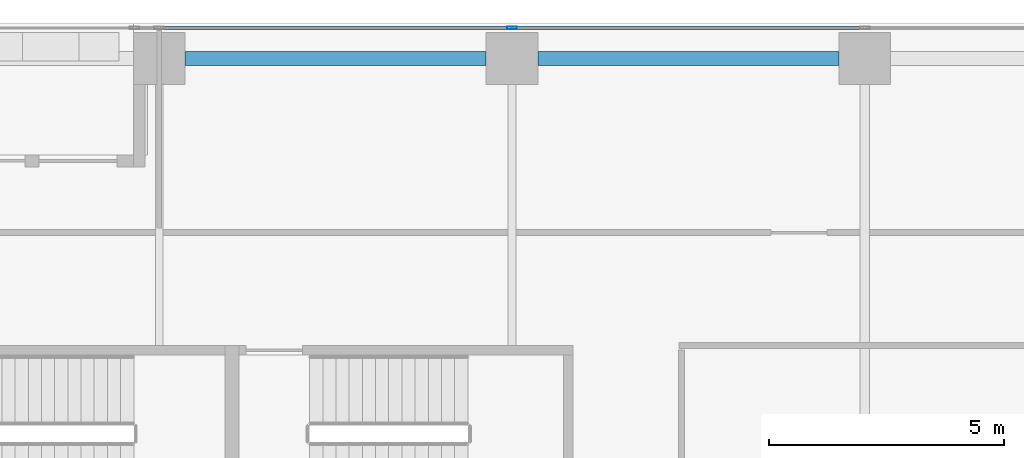
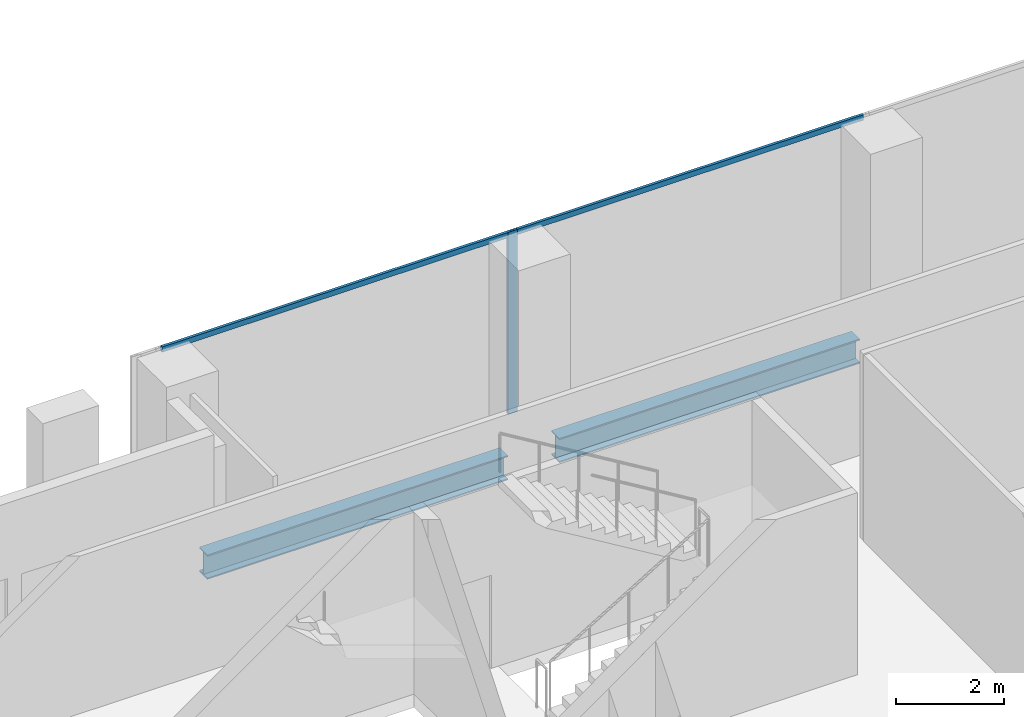
# One storey, part 17 of 34: 3 members, 2 beams, 1 element without a shape of its own.
"""IFC4 building model written with IfcOpenShell, lengths in metres."""

from ifc_helpers import new_model, si_unit, direction, frame, origin, origin_2d, place, context, subcontext, project, spatial, hollow_rectangle, i_section, extrude, source, transform, mapped, material, material_profile, profile_set, type_object, element, aggregate, save


model = new_model("IFC4")

# Units and contexts
model_context = context("Model", 3, precision=1e-05, world=origin(), true_north=direction((0.0, 1.0)))
body_context = subcontext(model_context, "Body", "Model", "MODEL_VIEW")
ifc_project = project(units=[si_unit("LENGTHUNIT", "METRE"), si_unit("AREAUNIT", "SQUARE_METRE"), si_unit("VOLUMEUNIT", "CUBIC_METRE"), si_unit("PLANEANGLEUNIT", "RADIAN"), si_unit("MASSUNIT", "GRAM", prefix="KILO")], contexts=[model_context])

# Site, building, storey
site_placement = place(None, origin())
site = spatial("IfcSite", under=ifc_project, at=site_placement, CompositionType="ELEMENT")
building_placement = place(site_placement, origin())
building = spatial("IfcBuilding", under=site, at=building_placement, Name="Khomas Fold Tower", CompositionType="ELEMENT")
storey_placement = place(building_placement, frame((0.0, 0.0, 105.89990234375)))
storey = spatial("IfcBuildingStorey", under=building, at=storey_placement, Name="L22", CompositionType="ELEMENT", Elevation=105.89990234375)

# Beams
ifc_material_1 = material(Name="Steel S355", Category="steel")
ifc_material_profile_1 = material_profile(ifc_material_1, i_section(OverallWidth=0.300048828125, OverallDepth=0.550048828125, WebThickness=0.014892578125, FlangeThickness=0.029052734375, at=origin_2d()), Name="HE 550 B")
ifc_profile_set_1 = profile_set([ifc_material_profile_1], Name="Steel S355")
beam_type = type_object("IfcBeamType", Name="HE 550 B spandrel SB2", PredefinedType="SPANDREL", material=ifc_profile_set_1)
shared_shape_1 = source(origin(), body_context, "Body", "SweptSolid", [
    extrude(i_section(OverallWidth=0.300048828125, OverallDepth=0.550048828125, WebThickness=0.014892578125, FlangeThickness=0.029052734375, at=origin_2d()), origin(), (0.0, 0.0, 1.0), 6.39990234375),
])
for number, where, z_axis, x_axis, name in (
    (1, (27.550048828125, 51.75, -0.574951171875), (1.0, 0.0, 0.0), (0.0, 1.0, 0.0), "SB2"),
    (2, (20.050048828125, 51.75, -0.574951171875), (1.0, 0.0, 0.0), (0.0, 1.0, 0.0), "SB2"),
):
    element("IfcBeam", number, at=place(storey_placement, frame(where, z_axis=z_axis, x_axis=x_axis)), inside=storey, type_object=beam_type, Name=name, PredefinedType="SPANDREL", context=body_context, shape_type="MappedRepresentation", body=[
        mapped(shared_shape_1, transform((0.0, 0.0, 0.0))),
    ])

# Curtain wall, members
ifc_material_2 = material(Name="Aluminium framed double glazing", Category="aluminium")
curtain_wall_type = type_object("IfcCurtainWallType", Name="SK-Unitised clear-glass wall, growing floors CW1", PredefinedType="NOTDEFINED", material=ifc_material_2)
curtain_wall_placement = place(storey_placement, origin())
curtain_wall = element("IfcCurtainWall", 3, at=curtain_wall_placement, inside=storey, type_object=curtain_wall_type, Name="CW1 run L22 06-0", PredefinedType="NOTDEFINED")
ifc_material_3 = material(Name="Aluminium", Category="aluminium")
ifc_material_profile_2 = material_profile(ifc_material_3, hollow_rectangle(XDim=0.06005859375, YDim=0.1201171875, WallThickness=0.00390625, at=origin_2d()), Name="SK-Unitised clear-glass wall, growing floors transom CW1-T")
ifc_profile_set_2 = profile_set([ifc_material_profile_2], Name="Aluminium")
member_type_1 = type_object("IfcMemberType", Name="SK-Unitised clear-glass wall, growing floors transom CW1-T", PredefinedType="USERDEFINED", material=ifc_profile_set_2)
shared_shape_2 = source(origin(), body_context, "Body", "SweptSolid", [
    extrude(hollow_rectangle(XDim=0.06005859375, YDim=0.1201171875, WallThickness=0.00390625, at=origin_2d()), origin(), (0.0, 0.0, 1.0), 7.43994140625),
])
member_1_placement = place(storey_placement, frame((34.469970703125, 52.39990234375, 4.0400390625), z_axis=(-1.0, 0.0, 0.0), x_axis=(0.0, -1.0, 0.0)))
member_1 = element("IfcMember", 4, at=member_1_placement, type_object=member_type_1, Name="CW1 transom 4", ObjectType="TRANSOM", PredefinedType="USERDEFINED", context=body_context, shape_type="MappedRepresentation", body=[
    mapped(shared_shape_2, transform((0.0, 0.0, 0.0))),
])
member_2_placement = place(storey_placement, frame((26.969970703125, 52.39990234375, 4.0400390625), z_axis=(-1.0, 0.0, 0.0), x_axis=(0.0, -1.0, 0.0)))
member_2 = element("IfcMember", 5, at=member_2_placement, type_object=member_type_1, Name="CW1 transom 5", ObjectType="TRANSOM", PredefinedType="USERDEFINED", context=body_context, shape_type="MappedRepresentation", body=[
    mapped(shared_shape_2, transform((0.0, 0.0, 0.0))),
])
ifc_material_4 = material(Name="Aluminium", Category="aluminium")
ifc_material_profile_3 = material_profile(ifc_material_4, hollow_rectangle(XDim=0.06005859375, YDim=0.199951171875, WallThickness=0.00390625, at=origin_2d()), Name="SK-Unitised clear-glass wall, growing floors mullion CW1-M")
ifc_profile_set_3 = profile_set([ifc_material_profile_3], Name="Aluminium")
member_type_2 = type_object("IfcMemberType", Name="SK-Unitised clear-glass wall, growing floors mullion CW1-M", PredefinedType="MULLION", material=ifc_profile_set_3)
shared_shape_3 = source(origin(), body_context, "Body", "SweptSolid", [
    extrude(hollow_rectangle(XDim=0.06005859375, YDim=0.199951171875, WallThickness=0.00390625, at=origin_2d()), origin(), (0.0, 0.0, 1.0), 4.10009765625),
])
member_3_placement = place(storey_placement, frame((27.0, 52.39990234375, 0.0), z_axis=(0.0, 0.0, 1.0), x_axis=(0.0, -1.0, 0.0)))
member_3 = element("IfcMember", 6, at=member_3_placement, type_object=member_type_2, Name="CW1 mullion 5", PredefinedType="MULLION", context=body_context, shape_type="MappedRepresentation", body=[
    mapped(shared_shape_3, transform((0.0, 0.0, 0.0))),
])
aggregate(curtain_wall, [member_3, member_1, member_2])

save(model, "model.ifc")
